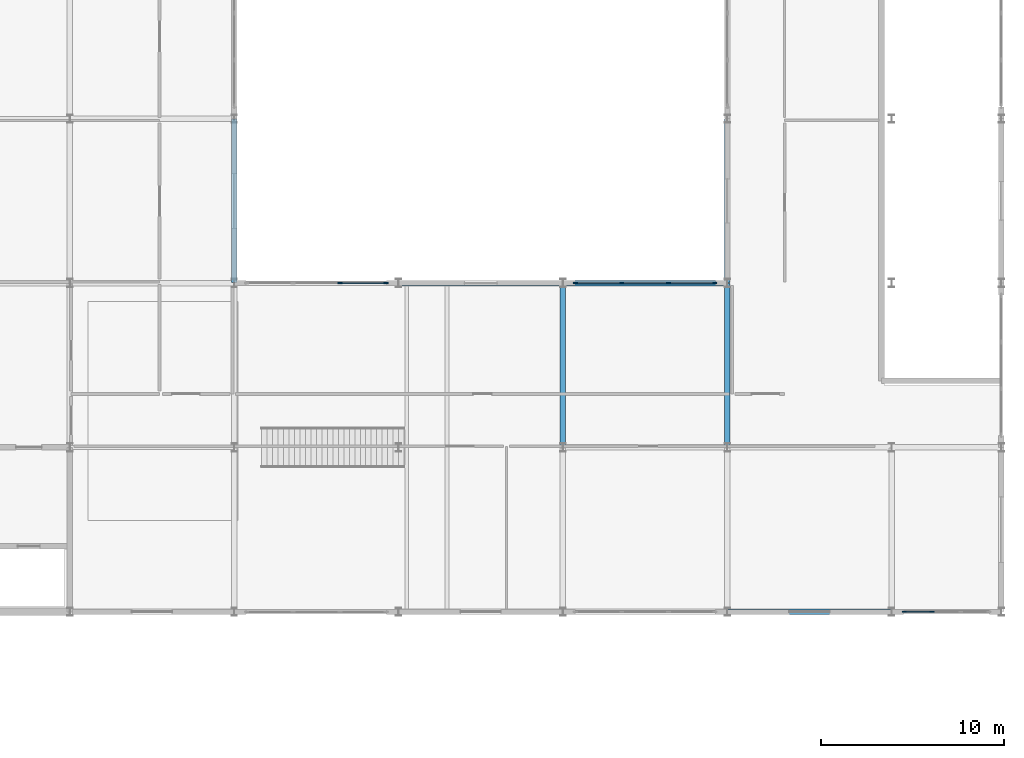
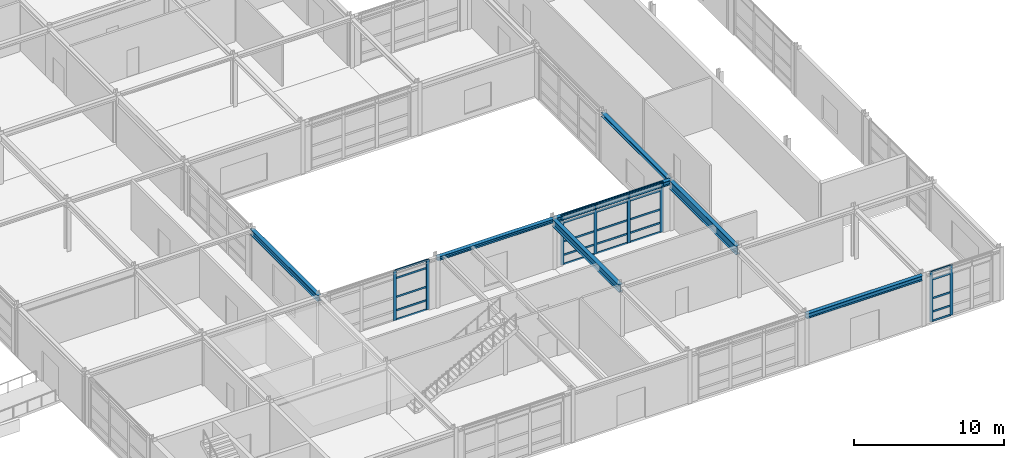
# One storey, part 38 of 72: 33 members, 7 beams, 3 elements without a shape of their own.
"""IFC4 building model written with IfcOpenShell, lengths in metres."""

from ifc_helpers import new_model, si_unit, direction, frame, origin, origin_2d, place, context, subcontext, project, spatial, rectangle, i_section, extrude, material, material_profile, profile_set, type_object, element, aggregate, save


model = new_model("IFC4")

# Units and contexts
model_context = context("Model", 3, precision=1e-05, world=origin(), true_north=direction((0.0, 1.0)))
body_context = subcontext(model_context, "Body", "Model", "MODEL_VIEW")
ifc_project = project(units=[si_unit("LENGTHUNIT", "METRE"), si_unit("AREAUNIT", "SQUARE_METRE"), si_unit("VOLUMEUNIT", "CUBIC_METRE"), si_unit("PLANEANGLEUNIT", "RADIAN"), si_unit("MASSUNIT", "GRAM", prefix="KILO")], contexts=[model_context])

# Site, building, storey
site_placement = place(None, origin())
site = spatial("IfcSite", under=ifc_project, at=site_placement, CompositionType="ELEMENT")
building_placement = place(site_placement, origin())
building = spatial("IfcBuilding", under=site, at=building_placement, Name="Palais des Congres Ocreval", CompositionType="ELEMENT")
storey_placement = place(building_placement, origin())
storey = spatial("IfcBuildingStorey", under=building, at=storey_placement, Name="L00", CompositionType="ELEMENT", Elevation=0.0)

# Curtain wall, members
ifc_material_1 = material(Name="Anodized bronze aluminium and low-E glass", Category="glass")
curtain_wall_type_1 = type_object("IfcCurtainWallType", Name="Unitised Curtain Wall 5800x3280", PredefinedType="USERDEFINED", material=ifc_material_1)
curtain_wall_1_placement = place(storey_placement, origin())
curtain_wall_1 = element("IfcCurtainWall", 1, at=curtain_wall_1_placement, inside=storey, type_object=curtain_wall_type_1, Name="Unitised Curtain Wall CW14 L00", ObjectType="UNITISED CURTAIN WALL", PredefinedType="USERDEFINED")
ifc_material_2 = material(Name="Anodized bronze aluminium", Category="aluminium")
ifc_material_profile_1 = material_profile(ifc_material_2, rectangle(XDim=0.074951171875, YDim=0.239990234375, at=origin_2d()), Name="ALU 75x240")
ifc_profile_set_1 = profile_set([ifc_material_profile_1], Name="Anodized bronze aluminium")
member_type_1 = type_object("IfcMemberType", Name="Curtain Wall Mullion ALU 75x240", PredefinedType="MULLION", material=ifc_profile_set_1)
member_1_placement = place(storey_placement, frame((164.216796875, 0.0, 0.0), z_axis=(0.0, 0.0, 1.0), x_axis=(0.0, -1.0, 0.0)))
member_1 = element("IfcMember", 2, at=member_1_placement, type_object=member_type_1, Name="Curtain Wall Mullion ML01", PredefinedType="MULLION", context=body_context, shape_type="SweptSolid", body=[
    extrude(rectangle(XDim=0.074951171875, YDim=0.239990234375, at=origin_2d()), origin(), (0.0, 0.0, 1.0), 4.054931640625),
])
member_2_placement = place(storey_placement, frame((162.6875, 0.0, 0.0), z_axis=(0.0, 0.0, 1.0), x_axis=(0.0, -1.0, 0.0)))
member_2 = element("IfcMember", 3, at=member_2_placement, type_object=member_type_1, Name="Curtain Wall Mullion ML01", PredefinedType="MULLION", context=body_context, shape_type="SweptSolid", body=[
    extrude(rectangle(XDim=0.074951171875, YDim=0.239990234375, at=origin_2d()), origin(), (0.0, 0.0, 1.0), 4.054931640625),
])

curtain_wall_type_2 = type_object("IfcCurtainWallType", Name="Unitised Curtain Wall 7900x4060", PredefinedType="USERDEFINED", material=ifc_material_1)
curtain_wall_2_placement = place(storey_placement, origin())
curtain_wall_2 = element("IfcCurtainWall", 4, at=curtain_wall_2_placement, inside=storey, type_object=curtain_wall_type_2, Name="Unitised Curtain Wall CW01 L00", ObjectType="UNITISED CURTAIN WALL", PredefinedType="USERDEFINED")
member_3_placement = place(storey_placement, frame((131.783203125, 18.0, 0.0), z_axis=(0.0, 0.0, 1.0), x_axis=(0.0, 1.0, 0.0)))
member_3 = element("IfcMember", 5, at=member_3_placement, type_object=member_type_1, Name="Curtain Wall Mullion ML01", PredefinedType="MULLION", context=body_context, shape_type="SweptSolid", body=[
    extrude(rectangle(XDim=0.074951171875, YDim=0.239990234375, at=origin_2d()), origin(), (0.0, 0.0, 1.0), 4.054931640625),
])
member_4_placement = place(storey_placement, frame((134.3125, 18.0, 0.0), z_axis=(0.0, 0.0, 1.0), x_axis=(0.0, 1.0, 0.0)))
member_4 = element("IfcMember", 6, at=member_4_placement, type_object=member_type_1, Name="Curtain Wall Mullion ML01", PredefinedType="MULLION", context=body_context, shape_type="SweptSolid", body=[
    extrude(rectangle(XDim=0.074951171875, YDim=0.239990234375, at=origin_2d()), origin(), (0.0, 0.0, 1.0), 4.054931640625),
])

curtain_wall_3_placement = place(storey_placement, origin())
curtain_wall_3 = element("IfcCurtainWall", 7, at=curtain_wall_3_placement, inside=storey, type_object=curtain_wall_type_2, Name="Unitised Curtain Wall CW01 L00", ObjectType="UNITISED CURTAIN WALL", PredefinedType="USERDEFINED")
member_5_placement = place(storey_placement, frame((144.6875, 18.0, 0.0), z_axis=(0.0, 0.0, 1.0), x_axis=(0.0, 1.0, 0.0)))
member_5 = element("IfcMember", 8, at=member_5_placement, type_object=member_type_1, Name="Curtain Wall Mullion ML01", PredefinedType="MULLION", context=body_context, shape_type="SweptSolid", body=[
    extrude(rectangle(XDim=0.074951171875, YDim=0.239990234375, at=origin_2d()), origin(), (0.0, 0.0, 1.0), 4.054931640625),
])
member_6_placement = place(storey_placement, frame((147.216796875, 18.0, 0.0), z_axis=(0.0, 0.0, 1.0), x_axis=(0.0, 1.0, 0.0)))
member_6 = element("IfcMember", 9, at=member_6_placement, type_object=member_type_1, Name="Curtain Wall Mullion ML01", PredefinedType="MULLION", context=body_context, shape_type="SweptSolid", body=[
    extrude(rectangle(XDim=0.074951171875, YDim=0.239990234375, at=origin_2d()), origin(), (0.0, 0.0, 1.0), 4.054931640625),
])
member_7_placement = place(storey_placement, frame((149.783203125, 18.0, 0.0), z_axis=(0.0, 0.0, 1.0), x_axis=(0.0, 1.0, 0.0)))
member_7 = element("IfcMember", 10, at=member_7_placement, type_object=member_type_1, Name="Curtain Wall Mullion ML01", PredefinedType="MULLION", context=body_context, shape_type="SweptSolid", body=[
    extrude(rectangle(XDim=0.074951171875, YDim=0.239990234375, at=origin_2d()), origin(), (0.0, 0.0, 1.0), 4.054931640625),
])
member_8_placement = place(storey_placement, frame((152.3125, 18.0, 0.0), z_axis=(0.0, 0.0, 1.0), x_axis=(0.0, 1.0, 0.0)))
member_8 = element("IfcMember", 11, at=member_8_placement, type_object=member_type_1, Name="Curtain Wall Mullion ML01", PredefinedType="MULLION", context=body_context, shape_type="SweptSolid", body=[
    extrude(rectangle(XDim=0.074951171875, YDim=0.239990234375, at=origin_2d()), origin(), (0.0, 0.0, 1.0), 4.054931640625),
])

# Member
ifc_material_profile_2 = material_profile(ifc_material_2, rectangle(XDim=0.06005859375, YDim=0.14990234375, at=origin_2d()), Name="ALU 60x150")
ifc_profile_set_2 = profile_set([ifc_material_profile_2], Name="Anodized bronze aluminium")
member_type_2 = type_object("IfcMemberType", Name="Curtain Wall Transom ALU 60x150", PredefinedType="USERDEFINED", material=ifc_profile_set_2)
member_9_placement = place(storey_placement, frame((164.17919921875, 0.0, 0.030029296875), z_axis=(-1.0, 0.0, 0.0), x_axis=(0.0, -1.0, 0.0)))
member_9 = element("IfcMember", 12, at=member_9_placement, type_object=member_type_2, Name="Curtain Wall Transom TR01", ObjectType="TRANSOM", PredefinedType="USERDEFINED", context=body_context, shape_type="SweptSolid", body=[
    extrude(rectangle(XDim=0.06005859375, YDim=0.14990234375, at=origin_2d()), origin(), (0.0, 0.0, 1.0), 1.4541015625),
])

member_10_placement = place(storey_placement, frame((164.17919921875, 0.0, 0.780029296875), z_axis=(-1.0, 0.0, 0.0), x_axis=(0.0, -1.0, 0.0)))
member_10 = element("IfcMember", 13, at=member_10_placement, type_object=member_type_2, Name="Curtain Wall Transom TR01", ObjectType="TRANSOM", PredefinedType="USERDEFINED", context=body_context, shape_type="SweptSolid", body=[
    extrude(rectangle(XDim=0.06005859375, YDim=0.14990234375, at=origin_2d()), origin(), (0.0, 0.0, 1.0), 1.4541015625),
])

member_11_placement = place(storey_placement, frame((164.17919921875, 0.0, 1.872802734375), z_axis=(-1.0, 0.0, 0.0), x_axis=(0.0, -1.0, 0.0)))
member_11 = element("IfcMember", 14, at=member_11_placement, type_object=member_type_2, Name="Curtain Wall Transom TR01", ObjectType="TRANSOM", PredefinedType="USERDEFINED", context=body_context, shape_type="SweptSolid", body=[
    extrude(rectangle(XDim=0.06005859375, YDim=0.14990234375, at=origin_2d()), origin(), (0.0, 0.0, 1.0), 1.4541015625),
])

member_12_placement = place(storey_placement, frame((164.17919921875, 0.0, 3.405029296875), z_axis=(-1.0, 0.0, 0.0), x_axis=(0.0, -1.0, 0.0)))
member_12 = element("IfcMember", 15, at=member_12_placement, type_object=member_type_2, Name="Curtain Wall Transom TR01", ObjectType="TRANSOM", PredefinedType="USERDEFINED", context=body_context, shape_type="SweptSolid", body=[
    extrude(rectangle(XDim=0.06005859375, YDim=0.14990234375, at=origin_2d()), origin(), (0.0, 0.0, 1.0), 1.4541015625),
])

member_13_placement = place(storey_placement, frame((164.17919921875, 0.0, 4.02490234375), z_axis=(-1.0, 0.0, 0.0), x_axis=(0.0, -1.0, 0.0)))
member_13 = element("IfcMember", 16, at=member_13_placement, type_object=member_type_2, Name="Curtain Wall Transom TR01", ObjectType="TRANSOM", PredefinedType="USERDEFINED", context=body_context, shape_type="SweptSolid", body=[
    extrude(rectangle(XDim=0.06005859375, YDim=0.14990234375, at=origin_2d()), origin(), (0.0, 0.0, 1.0), 1.4541015625),
])

aggregate(curtain_wall_1, [member_1, member_2, member_9, member_10, member_11, member_12, member_13])

member_14_placement = place(storey_placement, frame((131.82080078125, 18.0, 0.030029296875), z_axis=(1.0, 0.0, 0.0), x_axis=(0.0, 1.0, 0.0)))
member_14 = element("IfcMember", 17, at=member_14_placement, type_object=member_type_2, Name="Curtain Wall Transom TR01", ObjectType="TRANSOM", PredefinedType="USERDEFINED", context=body_context, shape_type="SweptSolid", body=[
    extrude(rectangle(XDim=0.06005859375, YDim=0.14990234375, at=origin_2d()), origin(), (0.0, 0.0, 1.0), 2.4541015625),
])

member_15_placement = place(storey_placement, frame((131.82080078125, 18.0, 0.780029296875), z_axis=(1.0, 0.0, 0.0), x_axis=(0.0, 1.0, 0.0)))
member_15 = element("IfcMember", 18, at=member_15_placement, type_object=member_type_2, Name="Curtain Wall Transom TR01", ObjectType="TRANSOM", PredefinedType="USERDEFINED", context=body_context, shape_type="SweptSolid", body=[
    extrude(rectangle(XDim=0.06005859375, YDim=0.14990234375, at=origin_2d()), origin(), (0.0, 0.0, 1.0), 2.4541015625),
])

member_16_placement = place(storey_placement, frame((131.82080078125, 18.0, 1.872802734375), z_axis=(1.0, 0.0, 0.0), x_axis=(0.0, 1.0, 0.0)))
member_16 = element("IfcMember", 19, at=member_16_placement, type_object=member_type_2, Name="Curtain Wall Transom TR01", ObjectType="TRANSOM", PredefinedType="USERDEFINED", context=body_context, shape_type="SweptSolid", body=[
    extrude(rectangle(XDim=0.06005859375, YDim=0.14990234375, at=origin_2d()), origin(), (0.0, 0.0, 1.0), 2.4541015625),
])

member_17_placement = place(storey_placement, frame((131.82080078125, 18.0, 3.405029296875), z_axis=(1.0, 0.0, 0.0), x_axis=(0.0, 1.0, 0.0)))
member_17 = element("IfcMember", 20, at=member_17_placement, type_object=member_type_2, Name="Curtain Wall Transom TR01", ObjectType="TRANSOM", PredefinedType="USERDEFINED", context=body_context, shape_type="SweptSolid", body=[
    extrude(rectangle(XDim=0.06005859375, YDim=0.14990234375, at=origin_2d()), origin(), (0.0, 0.0, 1.0), 2.4541015625),
])

member_18_placement = place(storey_placement, frame((131.82080078125, 18.0, 4.02490234375), z_axis=(1.0, 0.0, 0.0), x_axis=(0.0, 1.0, 0.0)))
member_18 = element("IfcMember", 21, at=member_18_placement, type_object=member_type_2, Name="Curtain Wall Transom TR01", ObjectType="TRANSOM", PredefinedType="USERDEFINED", context=body_context, shape_type="SweptSolid", body=[
    extrude(rectangle(XDim=0.06005859375, YDim=0.14990234375, at=origin_2d()), origin(), (0.0, 0.0, 1.0), 2.4541015625),
])

aggregate(curtain_wall_2, [member_3, member_4, member_14, member_15, member_16, member_17, member_18])

member_19_placement = place(storey_placement, frame((144.72509765625, 18.0, 0.030029296875), z_axis=(1.0, 0.0, 0.0), x_axis=(0.0, 1.0, 0.0)))
member_19 = element("IfcMember", 22, at=member_19_placement, type_object=member_type_2, Name="Curtain Wall Transom TR01", ObjectType="TRANSOM", PredefinedType="USERDEFINED", context=body_context, shape_type="SweptSolid", body=[
    extrude(rectangle(XDim=0.06005859375, YDim=0.14990234375, at=origin_2d()), origin(), (0.0, 0.0, 1.0), 2.4541015625),
])

member_20_placement = place(storey_placement, frame((144.72509765625, 18.0, 0.780029296875), z_axis=(1.0, 0.0, 0.0), x_axis=(0.0, 1.0, 0.0)))
member_20 = element("IfcMember", 23, at=member_20_placement, type_object=member_type_2, Name="Curtain Wall Transom TR01", ObjectType="TRANSOM", PredefinedType="USERDEFINED", context=body_context, shape_type="SweptSolid", body=[
    extrude(rectangle(XDim=0.06005859375, YDim=0.14990234375, at=origin_2d()), origin(), (0.0, 0.0, 1.0), 2.4541015625),
])

member_21_placement = place(storey_placement, frame((144.72509765625, 18.0, 1.872802734375), z_axis=(1.0, 0.0, 0.0), x_axis=(0.0, 1.0, 0.0)))
member_21 = element("IfcMember", 24, at=member_21_placement, type_object=member_type_2, Name="Curtain Wall Transom TR01", ObjectType="TRANSOM", PredefinedType="USERDEFINED", context=body_context, shape_type="SweptSolid", body=[
    extrude(rectangle(XDim=0.06005859375, YDim=0.14990234375, at=origin_2d()), origin(), (0.0, 0.0, 1.0), 2.4541015625),
])

member_22_placement = place(storey_placement, frame((144.72509765625, 18.0, 3.405029296875), z_axis=(1.0, 0.0, 0.0), x_axis=(0.0, 1.0, 0.0)))
member_22 = element("IfcMember", 25, at=member_22_placement, type_object=member_type_2, Name="Curtain Wall Transom TR01", ObjectType="TRANSOM", PredefinedType="USERDEFINED", context=body_context, shape_type="SweptSolid", body=[
    extrude(rectangle(XDim=0.06005859375, YDim=0.14990234375, at=origin_2d()), origin(), (0.0, 0.0, 1.0), 2.4541015625),
])

member_23_placement = place(storey_placement, frame((144.72509765625, 18.0, 4.02490234375), z_axis=(1.0, 0.0, 0.0), x_axis=(0.0, 1.0, 0.0)))
member_23 = element("IfcMember", 26, at=member_23_placement, type_object=member_type_2, Name="Curtain Wall Transom TR01", ObjectType="TRANSOM", PredefinedType="USERDEFINED", context=body_context, shape_type="SweptSolid", body=[
    extrude(rectangle(XDim=0.06005859375, YDim=0.14990234375, at=origin_2d()), origin(), (0.0, 0.0, 1.0), 2.4541015625),
])

member_24_placement = place(storey_placement, frame((147.254150390625, 18.0, 0.030029296875), z_axis=(1.0, 0.0, 0.0), x_axis=(0.0, 1.0, 0.0)))
member_24 = element("IfcMember", 27, at=member_24_placement, type_object=member_type_2, Name="Curtain Wall Transom TR01", ObjectType="TRANSOM", PredefinedType="USERDEFINED", context=body_context, shape_type="SweptSolid", body=[
    extrude(rectangle(XDim=0.06005859375, YDim=0.14990234375, at=origin_2d()), origin(), (0.0, 0.0, 1.0), 2.49169921875),
])

member_25_placement = place(storey_placement, frame((147.254150390625, 18.0, 0.780029296875), z_axis=(1.0, 0.0, 0.0), x_axis=(0.0, 1.0, 0.0)))
member_25 = element("IfcMember", 28, at=member_25_placement, type_object=member_type_2, Name="Curtain Wall Transom TR01", ObjectType="TRANSOM", PredefinedType="USERDEFINED", context=body_context, shape_type="SweptSolid", body=[
    extrude(rectangle(XDim=0.06005859375, YDim=0.14990234375, at=origin_2d()), origin(), (0.0, 0.0, 1.0), 2.49169921875),
])

member_26_placement = place(storey_placement, frame((147.254150390625, 18.0, 1.872802734375), z_axis=(1.0, 0.0, 0.0), x_axis=(0.0, 1.0, 0.0)))
member_26 = element("IfcMember", 29, at=member_26_placement, type_object=member_type_2, Name="Curtain Wall Transom TR01", ObjectType="TRANSOM", PredefinedType="USERDEFINED", context=body_context, shape_type="SweptSolid", body=[
    extrude(rectangle(XDim=0.06005859375, YDim=0.14990234375, at=origin_2d()), origin(), (0.0, 0.0, 1.0), 2.49169921875),
])

member_27_placement = place(storey_placement, frame((147.254150390625, 18.0, 3.405029296875), z_axis=(1.0, 0.0, 0.0), x_axis=(0.0, 1.0, 0.0)))
member_27 = element("IfcMember", 30, at=member_27_placement, type_object=member_type_2, Name="Curtain Wall Transom TR01", ObjectType="TRANSOM", PredefinedType="USERDEFINED", context=body_context, shape_type="SweptSolid", body=[
    extrude(rectangle(XDim=0.06005859375, YDim=0.14990234375, at=origin_2d()), origin(), (0.0, 0.0, 1.0), 2.49169921875),
])

member_28_placement = place(storey_placement, frame((147.254150390625, 18.0, 4.02490234375), z_axis=(1.0, 0.0, 0.0), x_axis=(0.0, 1.0, 0.0)))
member_28 = element("IfcMember", 31, at=member_28_placement, type_object=member_type_2, Name="Curtain Wall Transom TR01", ObjectType="TRANSOM", PredefinedType="USERDEFINED", context=body_context, shape_type="SweptSolid", body=[
    extrude(rectangle(XDim=0.06005859375, YDim=0.14990234375, at=origin_2d()), origin(), (0.0, 0.0, 1.0), 2.49169921875),
])

member_29_placement = place(storey_placement, frame((149.82080078125, 18.0, 0.030029296875), z_axis=(1.0, 0.0, 0.0), x_axis=(0.0, 1.0, 0.0)))
member_29 = element("IfcMember", 32, at=member_29_placement, type_object=member_type_2, Name="Curtain Wall Transom TR01", ObjectType="TRANSOM", PredefinedType="USERDEFINED", context=body_context, shape_type="SweptSolid", body=[
    extrude(rectangle(XDim=0.06005859375, YDim=0.14990234375, at=origin_2d()), origin(), (0.0, 0.0, 1.0), 2.4541015625),
])

member_30_placement = place(storey_placement, frame((149.82080078125, 18.0, 0.780029296875), z_axis=(1.0, 0.0, 0.0), x_axis=(0.0, 1.0, 0.0)))
member_30 = element("IfcMember", 33, at=member_30_placement, type_object=member_type_2, Name="Curtain Wall Transom TR01", ObjectType="TRANSOM", PredefinedType="USERDEFINED", context=body_context, shape_type="SweptSolid", body=[
    extrude(rectangle(XDim=0.06005859375, YDim=0.14990234375, at=origin_2d()), origin(), (0.0, 0.0, 1.0), 2.4541015625),
])

member_31_placement = place(storey_placement, frame((149.82080078125, 18.0, 1.872802734375), z_axis=(1.0, 0.0, 0.0), x_axis=(0.0, 1.0, 0.0)))
member_31 = element("IfcMember", 34, at=member_31_placement, type_object=member_type_2, Name="Curtain Wall Transom TR01", ObjectType="TRANSOM", PredefinedType="USERDEFINED", context=body_context, shape_type="SweptSolid", body=[
    extrude(rectangle(XDim=0.06005859375, YDim=0.14990234375, at=origin_2d()), origin(), (0.0, 0.0, 1.0), 2.4541015625),
])

member_32_placement = place(storey_placement, frame((149.82080078125, 18.0, 3.405029296875), z_axis=(1.0, 0.0, 0.0), x_axis=(0.0, 1.0, 0.0)))
member_32 = element("IfcMember", 35, at=member_32_placement, type_object=member_type_2, Name="Curtain Wall Transom TR01", ObjectType="TRANSOM", PredefinedType="USERDEFINED", context=body_context, shape_type="SweptSolid", body=[
    extrude(rectangle(XDim=0.06005859375, YDim=0.14990234375, at=origin_2d()), origin(), (0.0, 0.0, 1.0), 2.4541015625),
])

member_33_placement = place(storey_placement, frame((149.82080078125, 18.0, 4.02490234375), z_axis=(1.0, 0.0, 0.0), x_axis=(0.0, 1.0, 0.0)))
member_33 = element("IfcMember", 36, at=member_33_placement, type_object=member_type_2, Name="Curtain Wall Transom TR01", ObjectType="TRANSOM", PredefinedType="USERDEFINED", context=body_context, shape_type="SweptSolid", body=[
    extrude(rectangle(XDim=0.06005859375, YDim=0.14990234375, at=origin_2d()), origin(), (0.0, 0.0, 1.0), 2.4541015625),
])

aggregate(curtain_wall_3, [member_5, member_6, member_7, member_8, member_19, member_20, member_21, member_22, member_23, member_24, member_25, member_26, member_27, member_28, member_29, member_30, member_31, member_32, member_33])

# Beams
ifc_material_3 = material(Name="Steel S355", Category="steel")
ifc_material_profile_3 = material_profile(ifc_material_3, i_section(OverallWidth=0.300048828125, OverallDepth=0.300048828125, WebThickness=0.010986328125, FlangeThickness=0.01904296875, at=origin_2d()), Name="HEB 300")
ifc_profile_set_3 = profile_set([ifc_material_profile_3], Name="Steel S355")
beam_type_1 = type_object("IfcBeamType", Name="Perimeter Spandrel HEB 300 Steel S355", PredefinedType="SPANDREL", material=ifc_profile_set_3)
beam_1_placement = place(storey_placement, frame((135.02001953125, 18.0, 3.905029296875), z_axis=(1.0, 0.0, 0.0), x_axis=(0.0, 1.0, 0.0)))
element("IfcBeam", 37, at=beam_1_placement, inside=storey, type_object=beam_type_1, Name="Beam SP02 L00", PredefinedType="SPANDREL", context=body_context, shape_type="SweptSolid", body=[
    extrude(i_section(OverallWidth=0.300048828125, OverallDepth=0.300048828125, WebThickness=0.010986328125, FlangeThickness=0.01904296875, at=origin_2d()), origin(), (0.0, 0.0, 1.0), 8.9599609375),
])
ifc_material_profile_4 = material_profile(ifc_material_3, i_section(OverallWidth=0.300048828125, OverallDepth=0.360107421875, WebThickness=0.012451171875, FlangeThickness=0.0224609375, at=origin_2d()), Name="HEB 360")
ifc_profile_set_4 = profile_set([ifc_material_profile_4], Name="Steel S355")
beam_type_2 = type_object("IfcBeamType", Name="Perimeter Spandrel HEB 360 Steel S355", PredefinedType="SPANDREL", material=ifc_profile_set_4)
beam_2_placement = place(storey_placement, frame((144.02001953125, 18.0, 3.875), z_axis=(1.0, 0.0, 0.0), x_axis=(0.0, 1.0, 0.0)))
element("IfcBeam", 38, at=beam_2_placement, inside=storey, type_object=beam_type_2, Name="Beam SP03 L00", PredefinedType="SPANDREL", context=body_context, shape_type="SweptSolid", body=[
    extrude(i_section(OverallWidth=0.300048828125, OverallDepth=0.360107421875, WebThickness=0.012451171875, FlangeThickness=0.0224609375, at=origin_2d()), origin(), (0.0, 0.0, 1.0), 8.9599609375),
])
ifc_material_profile_5 = material_profile(ifc_material_3, i_section(OverallWidth=0.300048828125, OverallDepth=0.39990234375, WebThickness=0.013427734375, FlangeThickness=0.02392578125, at=origin_2d()), Name="HEB 400")
ifc_profile_set_5 = profile_set([ifc_material_profile_5], Name="Steel S355")
beam_type_3 = type_object("IfcBeamType", Name="Perimeter Spandrel HEB 400 Steel S355", PredefinedType="SPANDREL", material=ifc_profile_set_5)
beam_3_placement = place(storey_placement, frame((153.02001953125, 0.0, 3.85498046875), z_axis=(1.0, 0.0, 0.0), x_axis=(0.0, 1.0, 0.0)))
element("IfcBeam", 39, at=beam_3_placement, inside=storey, type_object=beam_type_3, Name="Beam SP04 L00", PredefinedType="SPANDREL", context=body_context, shape_type="SweptSolid", body=[
    extrude(i_section(OverallWidth=0.300048828125, OverallDepth=0.39990234375, WebThickness=0.013427734375, FlangeThickness=0.02392578125, at=origin_2d()), origin(), (0.0, 0.0, 1.0), 8.9599609375),
])
ifc_material_profile_6 = material_profile(ifc_material_3, i_section(OverallWidth=0.300048828125, OverallDepth=0.2900390625, WebThickness=0.008544921875, FlangeThickness=0.013916015625, at=origin_2d()), Name="HEA 300")
ifc_profile_set_6 = profile_set([ifc_material_profile_6], Name="Steel S355")
beam_type_4 = type_object("IfcBeamType", Name="Primary Beam HEA 300 Steel S355", PredefinedType="BEAM", material=ifc_profile_set_6)
beam_4_placement = place(storey_placement, frame((153.0, 18.02001953125, 3.909912109375), z_axis=(0.0, 1.0, 0.0), x_axis=(-1.0, 0.0, 0.0)))
element("IfcBeam", 40, at=beam_4_placement, inside=storey, type_object=beam_type_4, Name="Girder B08 L00", PredefinedType="BEAM", context=body_context, shape_type="SweptSolid", body=[
    extrude(i_section(OverallWidth=0.300048828125, OverallDepth=0.2900390625, WebThickness=0.008544921875, FlangeThickness=0.013916015625, at=origin_2d()), origin(), (0.0, 0.0, 1.0), 8.9599609375),
])
ifc_material_profile_7 = material_profile(ifc_material_3, i_section(OverallWidth=0.300048828125, OverallDepth=0.489990234375, WebThickness=0.011962890625, FlangeThickness=0.02294921875, at=origin_2d()), Name="HEA 500")
ifc_profile_set_7 = profile_set([ifc_material_profile_7], Name="Steel S355")
beam_type_5 = type_object("IfcBeamType", Name="Primary Beam HEA 500 Steel S355", PredefinedType="BEAM", material=ifc_profile_set_7)
beam_5_placement = place(storey_placement, frame((126.0, 18.02001953125, 3.81005859375), z_axis=(0.0, 1.0, 0.0), x_axis=(-1.0, 0.0, 0.0)))
element("IfcBeam", 41, at=beam_5_placement, inside=storey, type_object=beam_type_5, Name="Girder B12 L00", PredefinedType="BEAM", context=body_context, shape_type="SweptSolid", body=[
    extrude(i_section(OverallWidth=0.300048828125, OverallDepth=0.489990234375, WebThickness=0.011962890625, FlangeThickness=0.02294921875, at=origin_2d()), origin(), (0.0, 0.0, 1.0), 8.9599609375),
])
ifc_material_profile_8 = material_profile(ifc_material_3, i_section(OverallWidth=0.300048828125, OverallDepth=0.590087890625, WebThickness=0.012939453125, FlangeThickness=0.02490234375, at=origin_2d()), Name="HEA 600")
ifc_profile_set_8 = profile_set([ifc_material_profile_8], Name="Steel S355")
beam_type_6 = type_object("IfcBeamType", Name="Primary Girder HEA 600 Steel S355", PredefinedType="BEAM", material=ifc_profile_set_8)
beam_6_placement = place(storey_placement, frame((144.0, 9.02001953125, 3.760009765625), z_axis=(0.0, 1.0, 0.0), x_axis=(-1.0, 0.0, 0.0)))
element("IfcBeam", 42, at=beam_6_placement, inside=storey, type_object=beam_type_6, Name="Girder B13 L00", PredefinedType="BEAM", context=body_context, shape_type="SweptSolid", body=[
    extrude(i_section(OverallWidth=0.300048828125, OverallDepth=0.590087890625, WebThickness=0.012939453125, FlangeThickness=0.02490234375, at=origin_2d()), origin(), (0.0, 0.0, 1.0), 8.9599609375),
])
ifc_material_profile_9 = material_profile(ifc_material_3, i_section(OverallWidth=0.300048828125, OverallDepth=0.68994140625, WebThickness=0.014404296875, FlangeThickness=0.027099609375, at=origin_2d()), Name="HEA 700")
ifc_profile_set_9 = profile_set([ifc_material_profile_9], Name="Steel S355")
beam_type_7 = type_object("IfcBeamType", Name="Primary Girder HEA 700 Steel S355", PredefinedType="BEAM", material=ifc_profile_set_9)
beam_7_placement = place(storey_placement, frame((153.0, 9.02001953125, 3.7099609375), z_axis=(0.0, 1.0, 0.0), x_axis=(-1.0, 0.0, 0.0)))
element("IfcBeam", 43, at=beam_7_placement, inside=storey, type_object=beam_type_7, Name="Girder B14 L00", PredefinedType="BEAM", context=body_context, shape_type="SweptSolid", body=[
    extrude(i_section(OverallWidth=0.300048828125, OverallDepth=0.68994140625, WebThickness=0.014404296875, FlangeThickness=0.027099609375, at=origin_2d()), origin(), (0.0, 0.0, 1.0), 8.9599609375),
])

save(model, "model.ifc")
